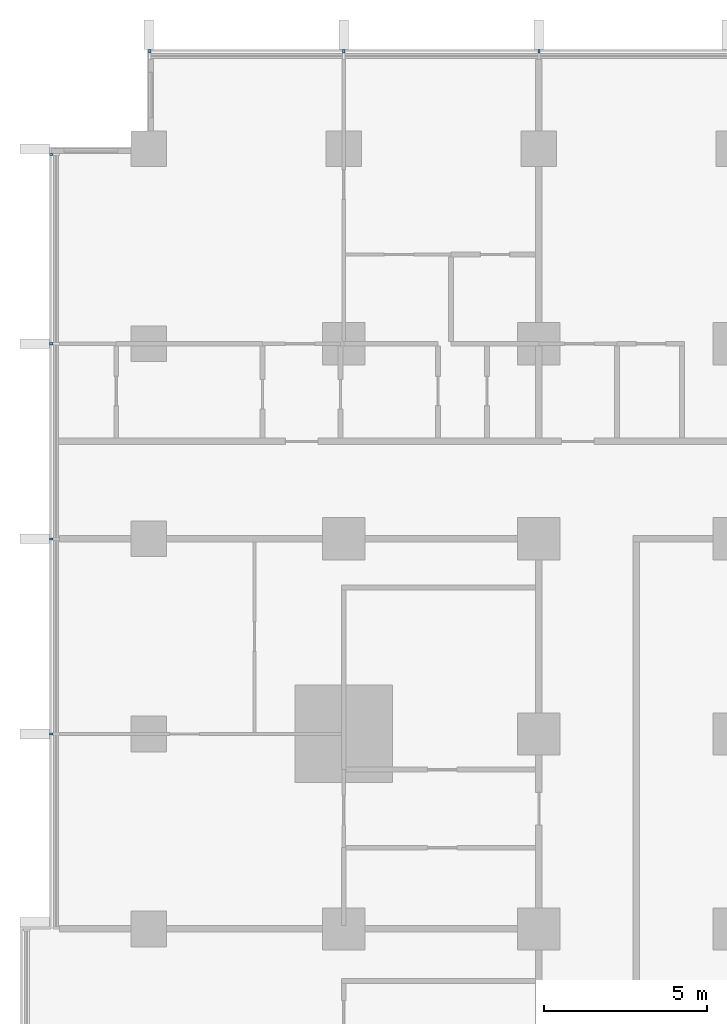
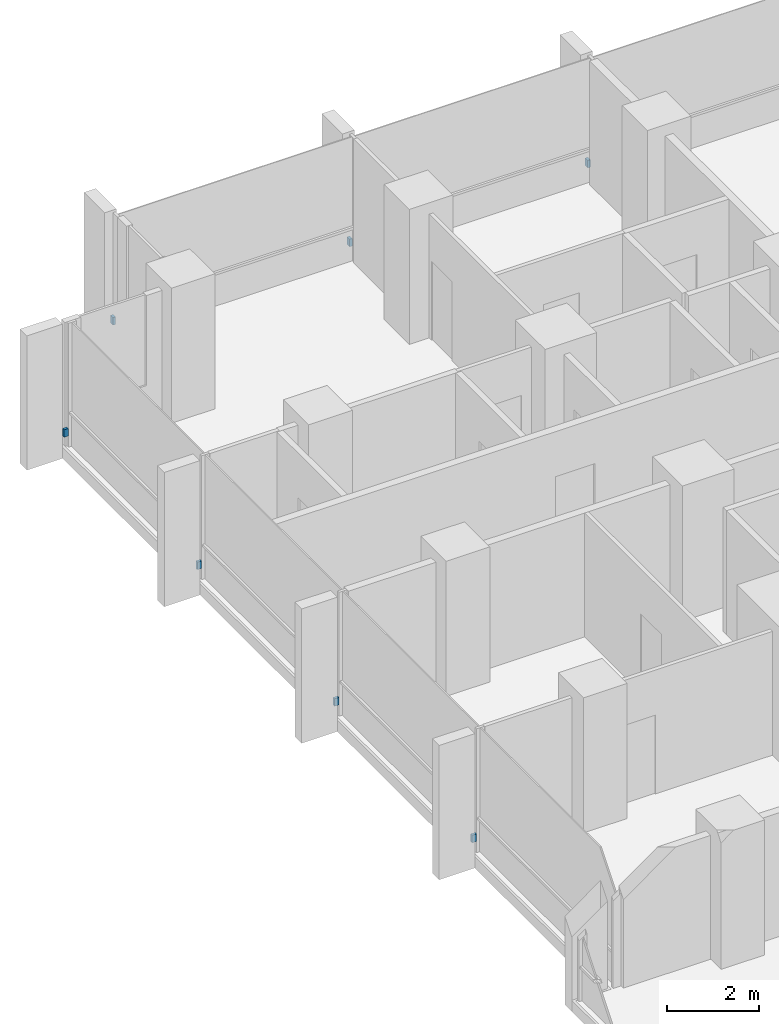
# One storey, part 16 of 18: 7 discrete accessories.
"""IFC4 building model written with IfcOpenShell, lengths in metres."""

from ifc_helpers import new_model, si_unit, direction, frame, origin, origin_2d, place, context, subcontext, project, spatial, rectangle, extrude, material, type_object, element, save


model = new_model("IFC4")

# Units and contexts
model_context = context("Model", 3, precision=1e-05, world=origin(), true_north=direction((0.0, 1.0)))
body_context = subcontext(model_context, "Body", "Model", "MODEL_VIEW")
ifc_project = project(units=[si_unit("LENGTHUNIT", "METRE"), si_unit("AREAUNIT", "SQUARE_METRE"), si_unit("VOLUMEUNIT", "CUBIC_METRE"), si_unit("PLANEANGLEUNIT", "RADIAN"), si_unit("MASSUNIT", "GRAM", prefix="KILO")], contexts=[model_context])

# Site, building, storey
site_placement = place(None, origin())
site = spatial("IfcSite", under=ifc_project, at=site_placement, CompositionType="ELEMENT")
building_placement = place(site_placement, origin())
building = spatial("IfcBuilding", under=site, at=building_placement, Name="Finial Court Residences", CompositionType="ELEMENT")
storey_placement = place(building_placement, frame((0.0, 0.0, 54.10009765625)))
storey = spatial("IfcBuildingStorey", under=building, at=storey_placement, Name="L12", CompositionType="ELEMENT", Elevation=54.10009765625)

# Discrete accessories
ifc_material = material(Name="Stainless steel 316", Category="steel")
discrete_accessory_type = type_object("IfcDiscreteAccessoryType", Name="Fin bracket, stainless steel 65 x 110 x 200", PredefinedType="BRACKET", material=ifc_material)
for number, where, z_axis, x_axis, name in (
    (1, (-22.467529296875, 28.5048828125, 0.2998046875), (0.0, 0.0, 1.0), (1.0, 0.0, 0.0), "E-L12-FIN-N1-BRK"),
    (2, (-16.5, 28.5048828125, 0.2998046875), (0.0, 0.0, 1.0), (1.0, 0.0, 0.0), "E-L12-FIN-N2-BRK"),
    (3, (-10.5, 28.5048828125, 0.2998046875), (0.0, 0.0, 1.0), (1.0, 0.0, 0.0), "E-L12-FIN-N3-BRK"),
):
    element("IfcDiscreteAccessory", number, at=place(storey_placement, frame(where, z_axis=z_axis, x_axis=x_axis)), inside=storey, type_object=discrete_accessory_type, Name=name, PredefinedType="BRACKET", context=body_context, shape_type="SweptSolid", body=[
        extrude(rectangle(XDim=0.06494140625, YDim=0.110107421875, at=origin_2d()), origin(), (0.0, 0.0, 1.0), 0.199951171875),
    ])
for number, where, z_axis, x_axis, name in (
    (4, (-25.5048828125, 7.5, 0.2998046875), (0.0, 0.0, 1.0), (1.0, 0.0, 0.0), "E-L12-FIN-W31-BRK"),
    (5, (-25.5048828125, 13.5, 0.2998046875), (0.0, 0.0, 1.0), (1.0, 0.0, 0.0), "E-L12-FIN-W32-BRK"),
    (6, (-25.5048828125, 19.5, 0.2998046875), (0.0, 0.0, 1.0), (1.0, 0.0, 0.0), "E-L12-FIN-W33-BRK"),
    (7, (-25.5048828125, 25.3173828125, 0.2998046875), (0.0, 0.0, 1.0), (1.0, 0.0, 0.0), "E-L12-FIN-W34-BRK"),
):
    element("IfcDiscreteAccessory", number, at=place(storey_placement, frame(where, z_axis=z_axis, x_axis=x_axis)), inside=storey, type_object=discrete_accessory_type, Name=name, PredefinedType="BRACKET", context=body_context, shape_type="SweptSolid", body=[
        extrude(rectangle(XDim=0.110107421875, YDim=0.06494140625, at=origin_2d()), origin(), (0.0, 0.0, 1.0), 0.199951171875),
    ])

save(model, "model.ifc")
